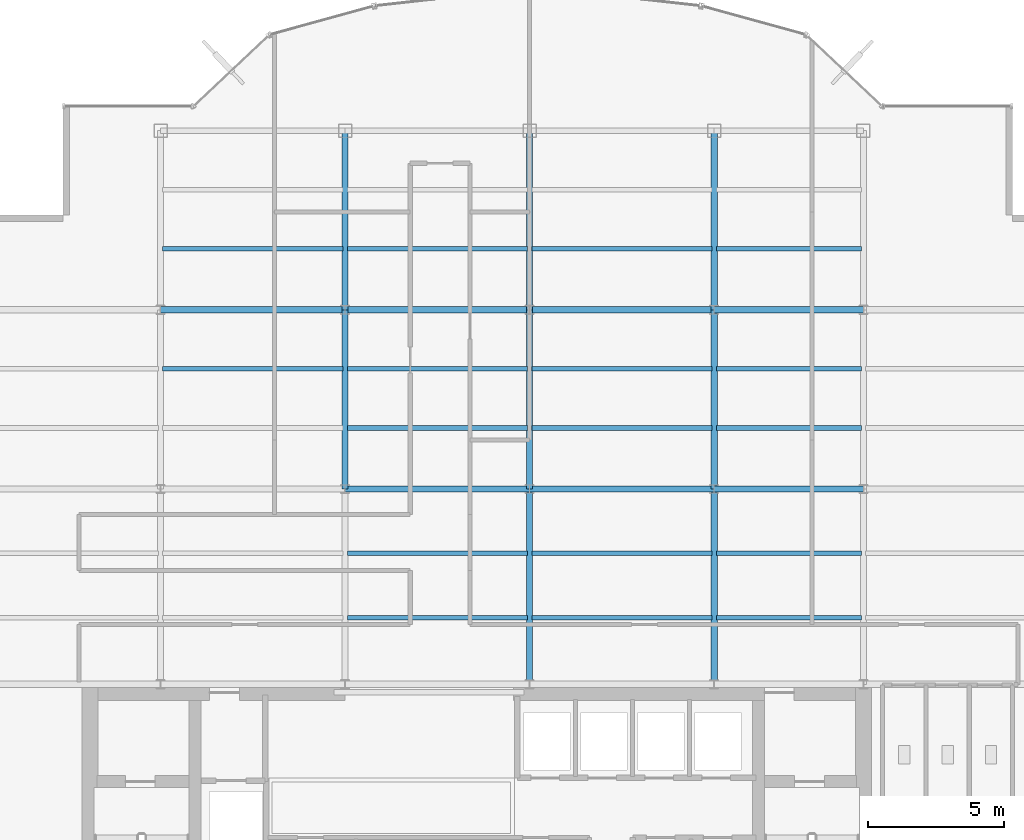
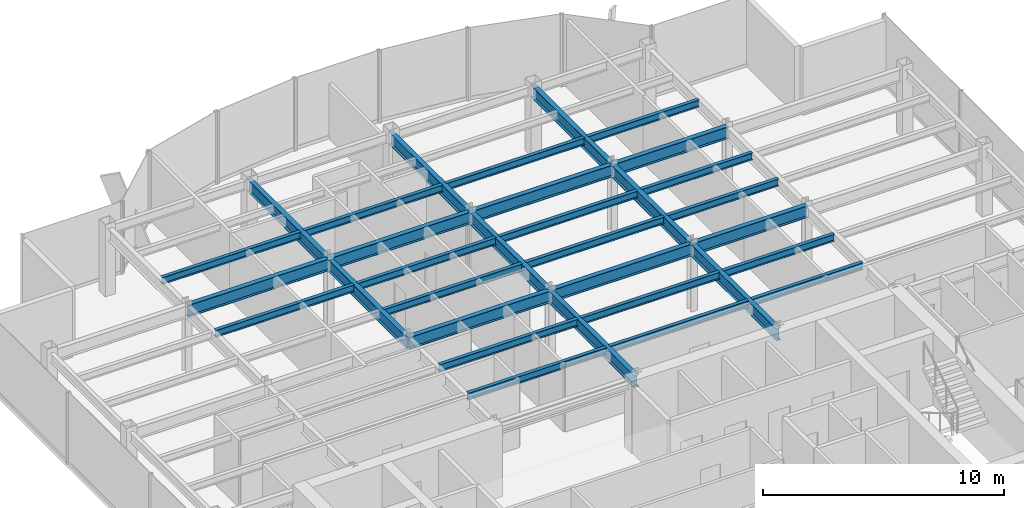
# One storey, part 8 of 22: 32 beams.
"""IFC4 building model written with IfcOpenShell, lengths in metres."""

from ifc_helpers import new_model, si_unit, derived_unit, direction, frame, origin, origin_2d, place, context, subcontext, project, spatial, i_section, extrude, source, transform, mapped, material, material_profile, profile_set, type_object, element, save


model = new_model("IFC4")

# Units and contexts
model_context = context("Model", 3, precision=1e-05, world=origin(), true_north=direction((0.0, 1.0)))
body_context = subcontext(model_context, "Body", "Model", "MODEL_VIEW")
ifc_project = project(units=[si_unit("LENGTHUNIT", "METRE"), si_unit("AREAUNIT", "SQUARE_METRE"), si_unit("VOLUMEUNIT", "CUBIC_METRE"), si_unit("PLANEANGLEUNIT", "RADIAN"), si_unit("MASSUNIT", "GRAM", prefix="KILO"), derived_unit("THERMALTRANSMITTANCEUNIT", [(si_unit("POWERUNIT", "WATT"), 1), (si_unit("LENGTHUNIT", "METRE"), -2), (si_unit("THERMODYNAMICTEMPERATUREUNIT", "KELVIN"), -1)])], contexts=[model_context])

# Site, building, storey
site_placement = place(None, origin())
site = spatial("IfcSite", under=ifc_project, at=site_placement, CompositionType="ELEMENT")
building_placement = place(site_placement, origin())
building = spatial("IfcBuilding", under=site, at=building_placement, Name="Skarnbrae Concourse Arena and Tower", CompositionType="ELEMENT")
storey_placement = place(building_placement, frame((0.0, 0.0, 206.85009765625)))
storey = spatial("IfcBuildingStorey", under=building, at=storey_placement, Name="L53", CompositionType="ELEMENT", Elevation=206.85009765625)

# Beams
ifc_material = material(Name="Steel CSA G40.21 350W", Category="steel")
ifc_material_profile_1 = material_profile(ifc_material, i_section(OverallWidth=0.22802734375, OverallDepth=0.60791015625, WebThickness=0.01123046875, FlangeThickness=0.017333984375, at=origin_2d()), Name="W610X113")
ifc_profile_set_1 = profile_set([ifc_material_profile_1], Name="Steel CSA G40.21 350W")
beam_type_1 = type_object("IfcBeamType", Name="BM-GIRD-W610X113", PredefinedType="BEAM", material=ifc_profile_set_1)
shared_shape_1 = source(origin(), body_context, "Body", "SweptSolid", [
    extrude(i_section(OverallWidth=0.22802734375, OverallDepth=0.60791015625, WebThickness=0.01123046875, FlangeThickness=0.017333984375, at=origin_2d()), origin(), (0.0, 0.0, 1.0), 6.60009765625),
])
for number, where, z_axis, x_axis, name in (
    (1, (14.39990234375, 21.199951171875, 3.095947265625), (0.0, 1.0, 0.0), (-1.0, 0.0, 0.0), "L53 Primary N-S girder X14.4-2"),
    (2, (21.199951171875, 21.199951171875, 3.095947265625), (0.0, 1.0, 0.0), (-1.0, 0.0, 0.0), "L53 Primary N-S girder X21.2-2"),
    (3, (28.0, 21.199951171875, 3.095947265625), (0.0, 1.0, 0.0), (-1.0, 0.0, 0.0), "L53 Primary N-S girder X28.0-2"),
):
    element("IfcBeam", number, at=place(storey_placement, frame(where, z_axis=z_axis, x_axis=x_axis)), inside=storey, type_object=beam_type_1, Name=name, PredefinedType="BEAM", context=body_context, shape_type="MappedRepresentation", body=[
        mapped(shared_shape_1, transform((0.0, 0.0, 0.0))),
    ])
shared_shape_2 = source(origin(), body_context, "Body", "SweptSolid", [
    extrude(i_section(OverallWidth=0.22802734375, OverallDepth=0.60791015625, WebThickness=0.01123046875, FlangeThickness=0.017333984375, at=origin_2d()), origin(), (0.0, 0.0, 1.0), 6.7998046875),
])
beam_placement = place(storey_placement, frame((7.60009765625, 27.800048828125, 3.095947265625), z_axis=(1.0, 0.0, 0.0), x_axis=(0.0, 1.0, 0.0)))
element("IfcBeam", 4, at=beam_placement, inside=storey, type_object=beam_type_1, Name="L53 Primary E-W girder Y27.8-2", PredefinedType="BEAM", context=body_context, shape_type="MappedRepresentation", body=[
    mapped(shared_shape_2, transform((0.0, 0.0, 0.0))),
])
shared_shape_3 = source(origin(), body_context, "Body", "SweptSolid", [
    extrude(i_section(OverallWidth=0.22802734375, OverallDepth=0.60791015625, WebThickness=0.01123046875, FlangeThickness=0.017333984375, at=origin_2d()), origin(), (0.0, 0.0, 1.0), 6.800048828125),
])
for number, where, z_axis, x_axis, name in (
    (5, (14.39990234375, 21.199951171875, 3.095947265625), (1.0, 0.0, 0.0), (0.0, 1.0, 0.0), "L53 Primary E-W girder Y21.2-3"),
    (6, (21.199951171875, 21.199951171875, 3.095947265625), (1.0, 0.0, 0.0), (0.0, 1.0, 0.0), "L53 Primary E-W girder Y21.2-4"),
    (7, (14.39990234375, 27.800048828125, 3.095947265625), (1.0, 0.0, 0.0), (0.0, 1.0, 0.0), "L53 Primary E-W girder Y27.8-3"),
    (8, (21.199951171875, 27.800048828125, 3.095947265625), (1.0, 0.0, 0.0), (0.0, 1.0, 0.0), "L53 Primary E-W girder Y27.8-4"),
):
    element("IfcBeam", number, at=place(storey_placement, frame(where, z_axis=z_axis, x_axis=x_axis)), inside=storey, type_object=beam_type_1, Name=name, PredefinedType="BEAM", context=body_context, shape_type="MappedRepresentation", body=[
        mapped(shared_shape_3, transform((0.0, 0.0, 0.0))),
    ])
shared_shape_4 = source(origin(), body_context, "Body", "SweptSolid", [
    extrude(i_section(OverallWidth=0.22802734375, OverallDepth=0.60791015625, WebThickness=0.01123046875, FlangeThickness=0.017333984375, at=origin_2d()), origin(), (0.0, 0.0, 1.0), 5.5),
])
for number, where, z_axis, x_axis, name in (
    (9, (28.0, 21.199951171875, 3.095947265625), (1.0, 0.0, 0.0), (0.0, 1.0, 0.0), "L53 Primary E-W girder Y21.2-5"),
    (10, (28.0, 27.800048828125, 3.095947265625), (1.0, 0.0, 0.0), (0.0, 1.0, 0.0), "L53 Primary E-W girder Y27.8-5"),
):
    element("IfcBeam", number, at=place(storey_placement, frame(where, z_axis=z_axis, x_axis=x_axis)), inside=storey, type_object=beam_type_1, Name=name, PredefinedType="BEAM", context=body_context, shape_type="MappedRepresentation", body=[
        mapped(shared_shape_4, transform((0.0, 0.0, 0.0))),
    ])
shared_shape_5 = source(origin(), body_context, "Body", "SweptSolid", [
    extrude(i_section(OverallWidth=0.22802734375, OverallDepth=0.60791015625, WebThickness=0.01123046875, FlangeThickness=0.017333984375, at=origin_2d()), origin(), (0.0, 0.0, 1.0), 7.199951171875),
])
for number, where, z_axis, x_axis, name in (
    (11, (21.199951171875, 14.0, 3.095947265625), (0.0, 1.0, 0.0), (-1.0, 0.0, 0.0), "L53 Primary N-S girder X21.2-1"),
    (12, (28.0, 14.0, 3.095947265625), (0.0, 1.0, 0.0), (-1.0, 0.0, 0.0), "L53 Primary N-S girder X28.0-1"),
):
    element("IfcBeam", number, at=place(storey_placement, frame(where, z_axis=z_axis, x_axis=x_axis)), inside=storey, type_object=beam_type_1, Name=name, PredefinedType="BEAM", context=body_context, shape_type="MappedRepresentation", body=[
        mapped(shared_shape_5, transform((0.0, 0.0, 0.0))),
    ])
shared_shape_6 = source(origin(), body_context, "Body", "SweptSolid", [
    extrude(i_section(OverallWidth=0.22802734375, OverallDepth=0.60791015625, WebThickness=0.01123046875, FlangeThickness=0.017333984375, at=origin_2d()), origin(), (0.0, 0.0, 1.0), 6.599853515625),
])
for number, where, z_axis, x_axis, name in (
    (13, (14.39990234375, 27.800048828125, 3.095947265625), (0.0, 1.0, 0.0), (-1.0, 0.0, 0.0), "L53 Primary N-S girder X14.4-3"),
    (14, (21.199951171875, 27.800048828125, 3.095947265625), (0.0, 1.0, 0.0), (-1.0, 0.0, 0.0), "L53 Primary N-S girder X21.2-3"),
    (15, (28.0, 27.800048828125, 3.095947265625), (0.0, 1.0, 0.0), (-1.0, 0.0, 0.0), "L53 Primary N-S girder X28.0-3"),
):
    element("IfcBeam", number, at=place(storey_placement, frame(where, z_axis=z_axis, x_axis=x_axis)), inside=storey, type_object=beam_type_1, Name=name, PredefinedType="BEAM", context=body_context, shape_type="MappedRepresentation", body=[
        mapped(shared_shape_6, transform((0.0, 0.0, 0.0))),
    ])
ifc_material_profile_2 = material_profile(ifc_material, i_section(OverallWidth=0.1708984375, OverallDepth=0.35498046875, WebThickness=0.007080078125, FlangeThickness=0.01171875, at=origin_2d()), Name="W360X51")
ifc_profile_set_2 = profile_set([ifc_material_profile_2], Name="Steel CSA G40.21 350W")
beam_type_2 = type_object("IfcBeamType", Name="BM-JOIST-W360X51", PredefinedType="JOIST", material=ifc_profile_set_2)
shared_shape_7 = source(origin(), body_context, "Body", "SweptSolid", [
    extrude(i_section(OverallWidth=0.1708984375, OverallDepth=0.35498046875, WebThickness=0.007080078125, FlangeThickness=0.01171875, at=origin_2d()), origin(), (0.0, 0.0, 1.0), 6.64013671875),
])
for number, where, z_axis, x_axis, name in (
    (16, (14.47998046875, 16.447998046875, 3.222412109375), (1.0, 0.0, 0.0), (0.0, 1.0, 0.0), "L53 Secondary floor joist 1.1.3"),
    (17, (14.47998046875, 18.823974609375, 3.222412109375), (1.0, 0.0, 0.0), (0.0, 1.0, 0.0), "L53 Secondary floor joist 1.2.3"),
    (18, (14.47998046875, 23.444091796875, 3.222412109375), (1.0, 0.0, 0.0), (0.0, 1.0, 0.0), "L53 Secondary floor joist 2.1.3"),
    (19, (7.679931640625, 25.6220703125, 3.222412109375), (1.0, 0.0, 0.0), (0.0, 1.0, 0.0), "L53 Secondary floor joist 2.2.2"),
    (20, (14.47998046875, 25.6220703125, 3.222412109375), (1.0, 0.0, 0.0), (0.0, 1.0, 0.0), "L53 Secondary floor joist 2.2.3"),
    (21, (7.679931640625, 30.0439453125, 3.222412109375), (1.0, 0.0, 0.0), (0.0, 1.0, 0.0), "L53 Secondary floor joist 3.1.1"),
    (22, (14.47998046875, 30.0439453125, 3.222412109375), (1.0, 0.0, 0.0), (0.0, 1.0, 0.0), "L53 Secondary floor joist 3.1.2"),
):
    element("IfcBeam", number, at=place(storey_placement, frame(where, z_axis=z_axis, x_axis=x_axis)), inside=storey, type_object=beam_type_2, Name=name, PredefinedType="JOIST", context=body_context, shape_type="MappedRepresentation", body=[
        mapped(shared_shape_7, transform((0.0, 0.0, 0.0))),
    ])
shared_shape_8 = source(origin(), body_context, "Body", "SweptSolid", [
    extrude(i_section(OverallWidth=0.1708984375, OverallDepth=0.35498046875, WebThickness=0.007080078125, FlangeThickness=0.01171875, at=origin_2d()), origin(), (0.0, 0.0, 1.0), 6.639892578125),
])
for number, where, z_axis, x_axis, name in (
    (23, (21.280029296875, 16.447998046875, 3.222412109375), (1.0, 0.0, 0.0), (0.0, 1.0, 0.0), "L53 Secondary floor joist 1.1.4"),
    (24, (21.280029296875, 18.823974609375, 3.222412109375), (1.0, 0.0, 0.0), (0.0, 1.0, 0.0), "L53 Secondary floor joist 1.2.4"),
    (25, (21.280029296875, 23.444091796875, 3.222412109375), (1.0, 0.0, 0.0), (0.0, 1.0, 0.0), "L53 Secondary floor joist 2.1.4"),
    (26, (21.280029296875, 25.6220703125, 3.222412109375), (1.0, 0.0, 0.0), (0.0, 1.0, 0.0), "L53 Secondary floor joist 2.2.4"),
    (27, (21.280029296875, 30.0439453125, 3.222412109375), (1.0, 0.0, 0.0), (0.0, 1.0, 0.0), "L53 Secondary floor joist 3.1.3"),
):
    element("IfcBeam", number, at=place(storey_placement, frame(where, z_axis=z_axis, x_axis=x_axis)), inside=storey, type_object=beam_type_2, Name=name, PredefinedType="JOIST", context=body_context, shape_type="MappedRepresentation", body=[
        mapped(shared_shape_8, transform((0.0, 0.0, 0.0))),
    ])
shared_shape_9 = source(origin(), body_context, "Body", "SweptSolid", [
    extrude(i_section(OverallWidth=0.1708984375, OverallDepth=0.35498046875, WebThickness=0.007080078125, FlangeThickness=0.01171875, at=origin_2d()), origin(), (0.0, 0.0, 1.0), 5.33984375),
])
for number, where, z_axis, x_axis, name in (
    (28, (28.080078125, 16.447998046875, 3.222412109375), (1.0, 0.0, 0.0), (0.0, 1.0, 0.0), "L53 Secondary floor joist 1.1.5"),
    (29, (28.080078125, 18.823974609375, 3.222412109375), (1.0, 0.0, 0.0), (0.0, 1.0, 0.0), "L53 Secondary floor joist 1.2.5"),
    (30, (28.080078125, 23.444091796875, 3.222412109375), (1.0, 0.0, 0.0), (0.0, 1.0, 0.0), "L53 Secondary floor joist 2.1.5"),
    (31, (28.080078125, 25.6220703125, 3.222412109375), (1.0, 0.0, 0.0), (0.0, 1.0, 0.0), "L53 Secondary floor joist 2.2.5"),
    (32, (28.080078125, 30.0439453125, 3.222412109375), (1.0, 0.0, 0.0), (0.0, 1.0, 0.0), "L53 Secondary floor joist 3.1.4"),
):
    element("IfcBeam", number, at=place(storey_placement, frame(where, z_axis=z_axis, x_axis=x_axis)), inside=storey, type_object=beam_type_2, Name=name, PredefinedType="JOIST", context=body_context, shape_type="MappedRepresentation", body=[
        mapped(shared_shape_9, transform((0.0, 0.0, 0.0))),
    ])

save(model, "model.ifc")
